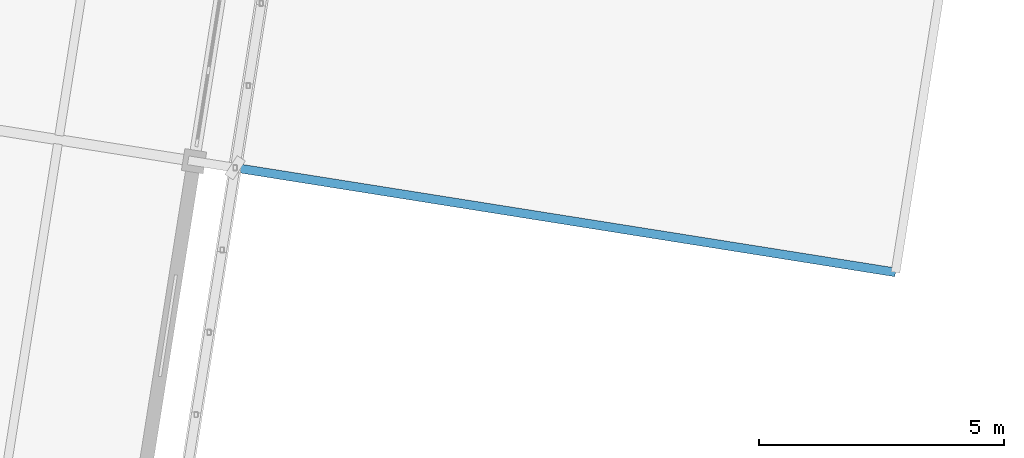
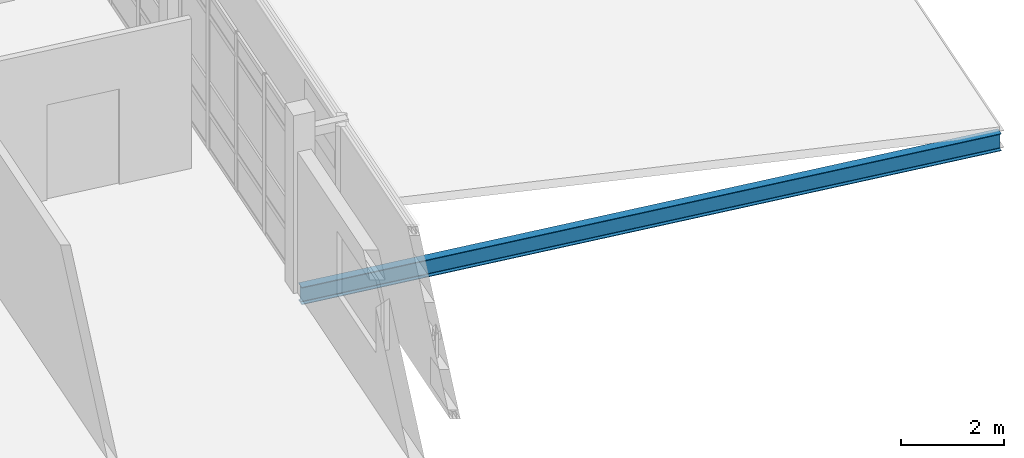
# One storey, part 81 of 137: 1 beam.
"""IFC4 building model written with IfcOpenShell, lengths in metres."""

from ifc_helpers import new_model, si_unit, direction, frame, origin, origin_2d, place, context, subcontext, project, spatial, i_section, extrude, material, material_profile, profile_set, type_object, element, save


model = new_model("IFC4")

# Units and contexts
model_context = context("Model", 3, precision=1e-05, world=origin(), true_north=direction((0.0, 1.0)))
body_context = subcontext(model_context, "Body", "Model", "MODEL_VIEW")
ifc_project = project(units=[si_unit("LENGTHUNIT", "METRE"), si_unit("AREAUNIT", "SQUARE_METRE"), si_unit("VOLUMEUNIT", "CUBIC_METRE"), si_unit("PLANEANGLEUNIT", "RADIAN"), si_unit("MASSUNIT", "GRAM", prefix="KILO")], contexts=[model_context])

# Site, building, storey
site_placement = place(None, origin())
site = spatial("IfcSite", under=ifc_project, at=site_placement, CompositionType="ELEMENT")
building_placement = place(site_placement, origin())
building = spatial("IfcBuilding", under=site, at=building_placement, Name="Cinderway Yard Community Centre", CompositionType="ELEMENT")
storey_placement = place(building_placement, frame((0.0, 0.0, 4.800048828125)))
storey = spatial("IfcBuildingStorey", under=building, at=storey_placement, Name="L01", CompositionType="ELEMENT", Elevation=4.800048828125)

# Beam
ifc_material = material(Name="Steel S355", Category="steel")
ifc_material_profile = material_profile(ifc_material, i_section(OverallWidth=0.178955078125, OverallDepth=0.409912109375, WebThickness=0.0087890625, FlangeThickness=0.013427734375, FilletRadius=0.011962890625, at=origin_2d()), Name="Steel S355")
ifc_profile_set = profile_set([ifc_material_profile], Name="Steel S355")
beam_type = type_object("IfcBeamType", Name="STR-BM-W410X67", PredefinedType="JOIST", material=ifc_profile_set)
beam_placement = place(storey_placement, frame((149.758056640625, 46.739990234375, -0.205078125), z_axis=(0.987681332568, -0.156478705571, 0.0), x_axis=(0.156478705571, 0.987681332568, 0.0)))
element("IfcBeam", 1, at=beam_placement, inside=storey, type_object=beam_type, Name="V2 EAST-PORCH ring STR-BM-L01-SJ02-1030", PredefinedType="JOIST", context=body_context, shape_type="SweptSolid", body=[
    extrude(i_section(OverallWidth=0.178955078125, OverallDepth=0.409912109375, WebThickness=0.0087890625, FlangeThickness=0.013427734375, FilletRadius=0.011962890625, at=origin_2d()), origin(), (0.0, 0.0, 1.0), 14.500732421875),
])

save(model, "model.ifc")
